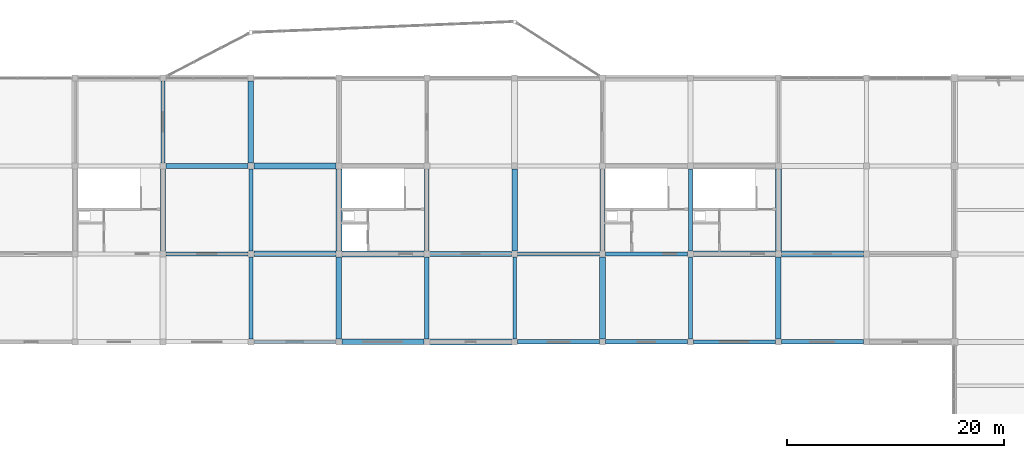
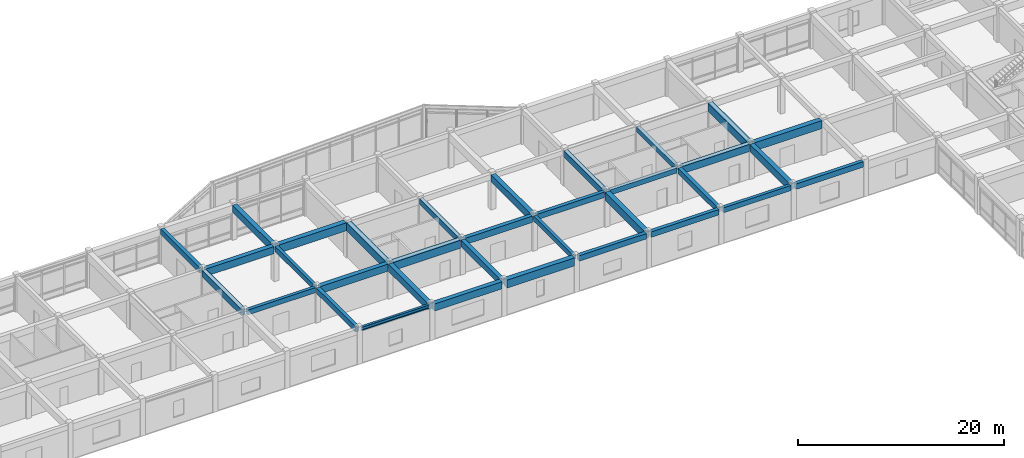
# One storey, part 10 of 40: 34 beams.
"""IFC4 building model written with IfcOpenShell, lengths in metres."""

from ifc_helpers import new_model, si_unit, direction, frame, origin, origin_2d, place, context, subcontext, project, spatial, rectangle, i_section, extrude, material, material_profile, profile_set, type_object, element, save


model = new_model("IFC4")

# Units and contexts
model_context = context("Model", 3, precision=1e-05, world=origin(), true_north=direction((0.0, 1.0)))
body_context = subcontext(model_context, "Body", "Model", "MODEL_VIEW")
ifc_project = project(units=[si_unit("LENGTHUNIT", "METRE"), si_unit("AREAUNIT", "SQUARE_METRE"), si_unit("VOLUMEUNIT", "CUBIC_METRE"), si_unit("PLANEANGLEUNIT", "RADIAN"), si_unit("MASSUNIT", "GRAM", prefix="KILO")], contexts=[model_context])

# Site, building, storey
site_placement = place(None, origin())
site = spatial("IfcSite", under=ifc_project, at=site_placement, CompositionType="ELEMENT")
building_placement = place(site_placement, origin())
building = spatial("IfcBuilding", under=site, at=building_placement, Name="Vaudrelin Polytechnic", CompositionType="ELEMENT")
storey_placement = place(building_placement, frame((0.0, 0.0, 22.949951171875)))
storey = spatial("IfcBuildingStorey", under=building, at=storey_placement, Name="L05", CompositionType="ELEMENT", Elevation=22.949951171875)

# Beams
ifc_material_1 = material(Name="Concrete 40 MPa", Category="concrete")
ifc_material_profile_1 = material_profile(ifc_material_1, rectangle(XDim=0.35009765625, YDim=0.60009765625, at=origin_2d()), Name="RC350x600")
ifc_profile_set_1 = profile_set([ifc_material_profile_1], Name="Concrete 40 MPa")
beam_type_1 = type_object("IfcBeamType", Name="BM-BM-RC3560", PredefinedType="BEAM", material=ifc_profile_set_1)
beam_1_placement = place(storey_placement, frame((72.89990234375, 105.56005859375, 3.860107421875), z_axis=(0.0, 1.0, 0.0), x_axis=(-1.0, 0.0, 0.0)))
element("IfcBeam", 1, at=beam_1_placement, inside=storey, type_object=beam_type_1, Name="L05 Y-beam 10-14", PredefinedType="BEAM", context=body_context, shape_type="SweptSolid", body=[
    extrude(rectangle(XDim=0.35009765625, YDim=0.60009765625, at=origin_2d()), origin(), (0.0, 0.0, 1.0), 7.579833984375),
])
beam_2_placement = place(storey_placement, frame((97.199951171875, 97.4599609375, 3.860107421875), z_axis=(0.0, 1.0, 0.0), x_axis=(-1.0, 0.0, 0.0)))
element("IfcBeam", 2, at=beam_2_placement, inside=storey, type_object=beam_type_1, Name="L05 Y-beam 13-13", PredefinedType="BEAM", context=body_context, shape_type="SweptSolid", body=[
    extrude(rectangle(XDim=0.35009765625, YDim=0.60009765625, at=origin_2d()), origin(), (0.0, 0.0, 1.0), 7.580078125),
])
beam_3_placement = place(storey_placement, frame((113.39990234375, 105.56005859375, 3.860107421875), z_axis=(0.0, 1.0, 0.0), x_axis=(-1.0, 0.0, 0.0)))
element("IfcBeam", 3, at=beam_3_placement, inside=storey, type_object=beam_type_1, Name="L05 Y-beam 15-14", PredefinedType="BEAM", context=body_context, shape_type="SweptSolid", body=[
    extrude(rectangle(XDim=0.35009765625, YDim=0.60009765625, at=origin_2d()), origin(), (0.0, 0.0, 1.0), 7.579833984375),
])
for number, where, z_axis, x_axis, name in (
    (4, (65.071044921875, 105.300048828125, 3.860107421875), (1.0, 0.0, 0.0), (0.0, 1.0, 0.0), "L05 X-beam 9-14"),
    (5, (105.571044921875, 105.300048828125, 3.860107421875), (1.0, 0.0, 0.0), (0.0, 1.0, 0.0), "L05 X-beam 14-14"),
):
    element("IfcBeam", number, at=place(storey_placement, frame(where, z_axis=z_axis, x_axis=x_axis)), inside=storey, type_object=beam_type_1, Name=name, PredefinedType="BEAM", context=body_context, shape_type="SweptSolid", body=[
        extrude(rectangle(XDim=0.35009765625, YDim=0.60009765625, at=origin_2d()), origin(), (0.0, 0.0, 1.0), 7.557861328125),
    ])
beam_4_placement = place(storey_placement, frame((113.6708984375, 97.199951171875, 3.860107421875), z_axis=(1.0, 0.0, 0.0), x_axis=(0.0, 1.0, 0.0)))
element("IfcBeam", 6, at=beam_4_placement, inside=storey, type_object=beam_type_1, Name="L05 X-beam 15-13", PredefinedType="BEAM", context=body_context, shape_type="SweptSolid", body=[
    extrude(rectangle(XDim=0.35009765625, YDim=0.60009765625, at=origin_2d()), origin(), (0.0, 0.0, 1.0), 7.55810546875),
])
ifc_material_profile_2 = material_profile(ifc_material_1, rectangle(XDim=0.39990234375, YDim=0.64990234375, at=origin_2d()), Name="RC400x650")
ifc_profile_set_2 = profile_set([ifc_material_profile_2], Name="Concrete 40 MPa")
beam_type_2 = type_object("IfcBeamType", Name="BM-BM-RC4065", PredefinedType="BEAM", material=ifc_profile_set_2)
for number, where, z_axis, x_axis, name in (
    (7, (64.800048828125, 113.659912109375, 3.8349609375), (0.0, 1.0, 0.0), (-1.0, 0.0, 0.0), "L05 Y-beam 9-15"),
    (8, (72.89990234375, 97.4599609375, 3.8349609375), (0.0, 1.0, 0.0), (-1.0, 0.0, 0.0), "L05 Y-beam 10-13"),
):
    element("IfcBeam", number, at=place(storey_placement, frame(where, z_axis=z_axis, x_axis=x_axis)), inside=storey, type_object=beam_type_2, Name=name, PredefinedType="BEAM", context=body_context, shape_type="SweptSolid", body=[
        extrude(rectangle(XDim=0.39990234375, YDim=0.64990234375, at=origin_2d()), origin(), (0.0, 0.0, 1.0), 7.580078125),
    ])
beam_5_placement = place(storey_placement, frame((89.10009765625, 105.56005859375, 3.8349609375), z_axis=(0.0, 1.0, 0.0), x_axis=(-1.0, 0.0, 0.0)))
element("IfcBeam", 9, at=beam_5_placement, inside=storey, type_object=beam_type_2, Name="L05 Y-beam 12-14", PredefinedType="BEAM", context=body_context, shape_type="SweptSolid", body=[
    extrude(rectangle(XDim=0.39990234375, YDim=0.64990234375, at=origin_2d()), origin(), (0.0, 0.0, 1.0), 7.579833984375),
])
beam_6_placement = place(storey_placement, frame((113.39990234375, 97.4599609375, 3.8349609375), z_axis=(0.0, 1.0, 0.0), x_axis=(-1.0, 0.0, 0.0)))
element("IfcBeam", 10, at=beam_6_placement, inside=storey, type_object=beam_type_2, Name="L05 Y-beam 15-13", PredefinedType="BEAM", context=body_context, shape_type="SweptSolid", body=[
    extrude(rectangle(XDim=0.39990234375, YDim=0.64990234375, at=origin_2d()), origin(), (0.0, 0.0, 1.0), 7.580078125),
])
beam_7_placement = place(storey_placement, frame((97.470947265625, 105.300048828125, 3.8349609375), z_axis=(1.0, 0.0, 0.0), x_axis=(0.0, 1.0, 0.0)))
element("IfcBeam", 11, at=beam_7_placement, inside=storey, type_object=beam_type_2, Name="L05 X-beam 13-14", PredefinedType="BEAM", context=body_context, shape_type="SweptSolid", body=[
    extrude(rectangle(XDim=0.39990234375, YDim=0.64990234375, at=origin_2d()), origin(), (0.0, 0.0, 1.0), 7.55810546875),
])
beam_8_placement = place(storey_placement, frame((105.571044921875, 97.199951171875, 3.8349609375), z_axis=(1.0, 0.0, 0.0), x_axis=(0.0, 1.0, 0.0)))
element("IfcBeam", 12, at=beam_8_placement, inside=storey, type_object=beam_type_2, Name="L05 X-beam 14-13", PredefinedType="BEAM", context=body_context, shape_type="SweptSolid", body=[
    extrude(rectangle(XDim=0.39990234375, YDim=0.64990234375, at=origin_2d()), origin(), (0.0, 0.0, 1.0), 7.557861328125),
])
ifc_material_profile_3 = material_profile(ifc_material_1, rectangle(XDim=0.449951171875, YDim=0.75, at=origin_2d()), Name="RC450x750")
ifc_profile_set_3 = profile_set([ifc_material_profile_3], Name="Concrete 40 MPa")
beam_type_3 = type_object("IfcBeamType", Name="BM-BM-RC4575", PredefinedType="BEAM", material=ifc_profile_set_3)
beam_9_placement = place(storey_placement, frame((64.800048828125, 105.56005859375, 3.78515625), z_axis=(0.0, 1.0, 0.0), x_axis=(-1.0, 0.0, 0.0)))
element("IfcBeam", 13, at=beam_9_placement, inside=storey, type_object=beam_type_3, Name="L05 Y-beam 9-14", PredefinedType="BEAM", context=body_context, shape_type="SweptSolid", body=[
    extrude(rectangle(XDim=0.449951171875, YDim=0.75, at=origin_2d()), origin(), (0.0, 0.0, 1.0), 7.579833984375),
])
beam_10_placement = place(storey_placement, frame((89.10009765625, 97.4599609375, 3.78515625), z_axis=(0.0, 1.0, 0.0), x_axis=(-1.0, 0.0, 0.0)))
element("IfcBeam", 14, at=beam_10_placement, inside=storey, type_object=beam_type_3, Name="L05 Y-beam 12-13", PredefinedType="BEAM", context=body_context, shape_type="SweptSolid", body=[
    extrude(rectangle(XDim=0.449951171875, YDim=0.75, at=origin_2d()), origin(), (0.0, 0.0, 1.0), 7.580078125),
])
beam_11_placement = place(storey_placement, frame((105.300048828125, 105.56005859375, 3.78515625), z_axis=(0.0, 1.0, 0.0), x_axis=(-1.0, 0.0, 0.0)))
element("IfcBeam", 15, at=beam_11_placement, inside=storey, type_object=beam_type_3, Name="L05 Y-beam 14-14", PredefinedType="BEAM", context=body_context, shape_type="SweptSolid", body=[
    extrude(rectangle(XDim=0.449951171875, YDim=0.75, at=origin_2d()), origin(), (0.0, 0.0, 1.0), 7.579833984375),
])
beam_12_placement = place(storey_placement, frame((89.37109375, 105.300048828125, 3.78515625), z_axis=(1.0, 0.0, 0.0), x_axis=(0.0, 1.0, 0.0)))
element("IfcBeam", 16, at=beam_12_placement, inside=storey, type_object=beam_type_3, Name="L05 X-beam 12-14", PredefinedType="BEAM", context=body_context, shape_type="SweptSolid", body=[
    extrude(rectangle(XDim=0.449951171875, YDim=0.75, at=origin_2d()), origin(), (0.0, 0.0, 1.0), 7.557861328125),
])
ifc_material_profile_4 = material_profile(ifc_material_1, rectangle(XDim=0.5, YDim=0.85009765625, at=origin_2d()), Name="RC500x850")
ifc_profile_set_4 = profile_set([ifc_material_profile_4], Name="Concrete 40 MPa")
beam_type_4 = type_object("IfcBeamType", Name="BM-BM-RC5085", PredefinedType="BEAM", material=ifc_profile_set_4)
for number, where, z_axis, x_axis, name in (
    (17, (72.89990234375, 113.659912109375, 3.735107421875), (0.0, 1.0, 0.0), (-1.0, 0.0, 0.0), "L05 Y-beam 10-15"),
    (18, (81.0, 97.4599609375, 3.735107421875), (0.0, 1.0, 0.0), (-1.0, 0.0, 0.0), "L05 Y-beam 11-13"),
):
    element("IfcBeam", number, at=place(storey_placement, frame(where, z_axis=z_axis, x_axis=x_axis)), inside=storey, type_object=beam_type_4, Name=name, PredefinedType="BEAM", context=body_context, shape_type="SweptSolid", body=[
        extrude(rectangle(XDim=0.5, YDim=0.85009765625, at=origin_2d()), origin(), (0.0, 0.0, 1.0), 7.580078125),
    ])
beam_13_placement = place(storey_placement, frame((97.199951171875, 105.56005859375, 3.735107421875), z_axis=(0.0, 1.0, 0.0), x_axis=(-1.0, 0.0, 0.0)))
element("IfcBeam", 19, at=beam_13_placement, inside=storey, type_object=beam_type_4, Name="L05 Y-beam 13-14", PredefinedType="BEAM", context=body_context, shape_type="SweptSolid", body=[
    extrude(rectangle(XDim=0.5, YDim=0.85009765625, at=origin_2d()), origin(), (0.0, 0.0, 1.0), 7.579833984375),
])
beam_14_placement = place(storey_placement, frame((121.5, 97.4599609375, 3.735107421875), z_axis=(0.0, 1.0, 0.0), x_axis=(-1.0, 0.0, 0.0)))
element("IfcBeam", 20, at=beam_14_placement, inside=storey, type_object=beam_type_4, Name="L05 Y-beam 16-13", PredefinedType="BEAM", context=body_context, shape_type="SweptSolid", body=[
    extrude(rectangle(XDim=0.5, YDim=0.85009765625, at=origin_2d()), origin(), (0.0, 0.0, 1.0), 7.580078125),
])
beam_15_placement = place(storey_placement, frame((65.071044921875, 113.39990234375, 3.735107421875), z_axis=(1.0, 0.0, 0.0), x_axis=(0.0, 1.0, 0.0)))
element("IfcBeam", 21, at=beam_15_placement, inside=storey, type_object=beam_type_4, Name="L05 X-beam 9-15", PredefinedType="BEAM", context=body_context, shape_type="SweptSolid", body=[
    extrude(rectangle(XDim=0.5, YDim=0.85009765625, at=origin_2d()), origin(), (0.0, 0.0, 1.0), 7.557861328125),
])
for number, where, z_axis, x_axis, name in (
    (22, (73.1708984375, 105.300048828125, 3.735107421875), (1.0, 0.0, 0.0), (0.0, 1.0, 0.0), "L05 X-beam 10-14"),
    (23, (81.27099609375, 97.199951171875, 3.735107421875), (1.0, 0.0, 0.0), (0.0, 1.0, 0.0), "L05 X-beam 11-13"),
    (24, (113.6708984375, 105.300048828125, 3.735107421875), (1.0, 0.0, 0.0), (0.0, 1.0, 0.0), "L05 X-beam 15-14"),
):
    element("IfcBeam", number, at=place(storey_placement, frame(where, z_axis=z_axis, x_axis=x_axis)), inside=storey, type_object=beam_type_4, Name=name, PredefinedType="BEAM", context=body_context, shape_type="SweptSolid", body=[
        extrude(rectangle(XDim=0.5, YDim=0.85009765625, at=origin_2d()), origin(), (0.0, 0.0, 1.0), 7.55810546875),
    ])
ifc_material_2 = material(Name="Concrete 50 MPa", Category="concrete")
ifc_material_profile_5 = material_profile(ifc_material_2, rectangle(XDim=0.550048828125, YDim=0.949951171875, at=origin_2d()), Name="RC550x950")
ifc_profile_set_5 = profile_set([ifc_material_profile_5], Name="Concrete 50 MPa")
beam_type_5 = type_object("IfcBeamType", Name="BM-BM-RC5595", PredefinedType="BEAM", material=ifc_profile_set_5)
beam_16_placement = place(storey_placement, frame((81.0, 105.56005859375, 3.68505859375), z_axis=(0.0, 1.0, 0.0), x_axis=(-1.0, 0.0, 0.0)))
element("IfcBeam", 25, at=beam_16_placement, inside=storey, type_object=beam_type_5, Name="L05 Y-beam 11-14", PredefinedType="BEAM", context=body_context, shape_type="SweptSolid", body=[
    extrude(rectangle(XDim=0.550048828125, YDim=0.949951171875, at=origin_2d()), origin(), (0.0, 0.0, 1.0), 7.579833984375),
])
beam_17_placement = place(storey_placement, frame((105.300048828125, 97.4599609375, 3.68505859375), z_axis=(0.0, 1.0, 0.0), x_axis=(-1.0, 0.0, 0.0)))
element("IfcBeam", 26, at=beam_17_placement, inside=storey, type_object=beam_type_5, Name="L05 Y-beam 14-13", PredefinedType="BEAM", context=body_context, shape_type="SweptSolid", body=[
    extrude(rectangle(XDim=0.550048828125, YDim=0.949951171875, at=origin_2d()), origin(), (0.0, 0.0, 1.0), 7.580078125),
])
beam_18_placement = place(storey_placement, frame((121.5, 105.56005859375, 3.68505859375), z_axis=(0.0, 1.0, 0.0), x_axis=(-1.0, 0.0, 0.0)))
element("IfcBeam", 27, at=beam_18_placement, inside=storey, type_object=beam_type_5, Name="L05 Y-beam 16-14", PredefinedType="BEAM", context=body_context, shape_type="SweptSolid", body=[
    extrude(rectangle(XDim=0.550048828125, YDim=0.949951171875, at=origin_2d()), origin(), (0.0, 0.0, 1.0), 7.579833984375),
])
for number, where, z_axis, x_axis, name in (
    (28, (73.1708984375, 113.39990234375, 3.68505859375), (1.0, 0.0, 0.0), (0.0, 1.0, 0.0), "L05 X-beam 10-15"),
    (29, (81.27099609375, 105.300048828125, 3.68505859375), (1.0, 0.0, 0.0), (0.0, 1.0, 0.0), "L05 X-beam 11-14"),
):
    element("IfcBeam", number, at=place(storey_placement, frame(where, z_axis=z_axis, x_axis=x_axis)), inside=storey, type_object=beam_type_5, Name=name, PredefinedType="BEAM", context=body_context, shape_type="SweptSolid", body=[
        extrude(rectangle(XDim=0.550048828125, YDim=0.949951171875, at=origin_2d()), origin(), (0.0, 0.0, 1.0), 7.55810546875),
    ])
beam_19_placement = place(storey_placement, frame((89.37109375, 97.199951171875, 3.68505859375), z_axis=(1.0, 0.0, 0.0), x_axis=(0.0, 1.0, 0.0)))
element("IfcBeam", 30, at=beam_19_placement, inside=storey, type_object=beam_type_5, Name="L05 X-beam 12-13", PredefinedType="BEAM", context=body_context, shape_type="SweptSolid", body=[
    extrude(rectangle(XDim=0.550048828125, YDim=0.949951171875, at=origin_2d()), origin(), (0.0, 0.0, 1.0), 7.557861328125),
])
beam_20_placement = place(storey_placement, frame((121.77099609375, 105.300048828125, 3.68505859375), z_axis=(1.0, 0.0, 0.0), x_axis=(0.0, 1.0, 0.0)))
element("IfcBeam", 31, at=beam_20_placement, inside=storey, type_object=beam_type_5, Name="L05 X-beam 16-14", PredefinedType="BEAM", context=body_context, shape_type="SweptSolid", body=[
    extrude(rectangle(XDim=0.550048828125, YDim=0.949951171875, at=origin_2d()), origin(), (0.0, 0.0, 1.0), 7.55810546875),
])
ifc_material_3 = material(Name="Steel CSA G40.21 350WT", Category="steel")
ifc_material_profile_6 = material_profile(ifc_material_3, i_section(OverallWidth=0.260009765625, OverallDepth=0.4150390625, WebThickness=0.010009765625, FlangeThickness=0.016845703125, FilletRadius=0.01611328125, at=origin_2d()), Name="W410x100")
ifc_profile_set_6 = profile_set([ifc_material_profile_6], Name="Steel CSA G40.21 350WT")
beam_type_6 = type_object("IfcBeamType", Name="BM-BM-W410H", PredefinedType="SPANDREL", material=ifc_profile_set_6)
beam_21_placement = place(storey_placement, frame((73.1708984375, 97.199951171875, 3.95263671875), z_axis=(1.0, 0.0, 0.0), x_axis=(0.0, 1.0, 0.0)))
element("IfcBeam", 32, at=beam_21_placement, inside=storey, type_object=beam_type_6, Name="L05 X-beam 10-13", PredefinedType="SPANDREL", context=body_context, shape_type="SweptSolid", body=[
    extrude(i_section(OverallWidth=0.260009765625, OverallDepth=0.4150390625, WebThickness=0.010009765625, FlangeThickness=0.016845703125, FilletRadius=0.01611328125, at=origin_2d()), origin(), (0.0, 0.0, 1.0), 7.55810546875),
])
ifc_material_profile_7 = material_profile(ifc_material_1, rectangle(XDim=0.39990234375, YDim=0.64990234375, at=origin_2d()), Name="RC400x650")
ifc_profile_set_7 = profile_set([ifc_material_profile_7], Name="Concrete 40 MPa")
beam_type_7 = type_object("IfcBeamType", Name="BM-SP-RC4065", PredefinedType="SPANDREL", material=ifc_profile_set_7)
for number, where, z_axis, x_axis, name in (
    (33, (97.470947265625, 97.199951171875, 3.8349609375), (1.0, 0.0, 0.0), (0.0, 1.0, 0.0), "L05 X-beam 13-13"),
    (34, (121.77099609375, 97.199951171875, 3.8349609375), (1.0, 0.0, 0.0), (0.0, 1.0, 0.0), "L05 X-beam 16-13"),
):
    element("IfcBeam", number, at=place(storey_placement, frame(where, z_axis=z_axis, x_axis=x_axis)), inside=storey, type_object=beam_type_7, Name=name, PredefinedType="SPANDREL", context=body_context, shape_type="SweptSolid", body=[
        extrude(rectangle(XDim=0.39990234375, YDim=0.64990234375, at=origin_2d()), origin(), (0.0, 0.0, 1.0), 7.55810546875),
    ])

save(model, "model.ifc")
